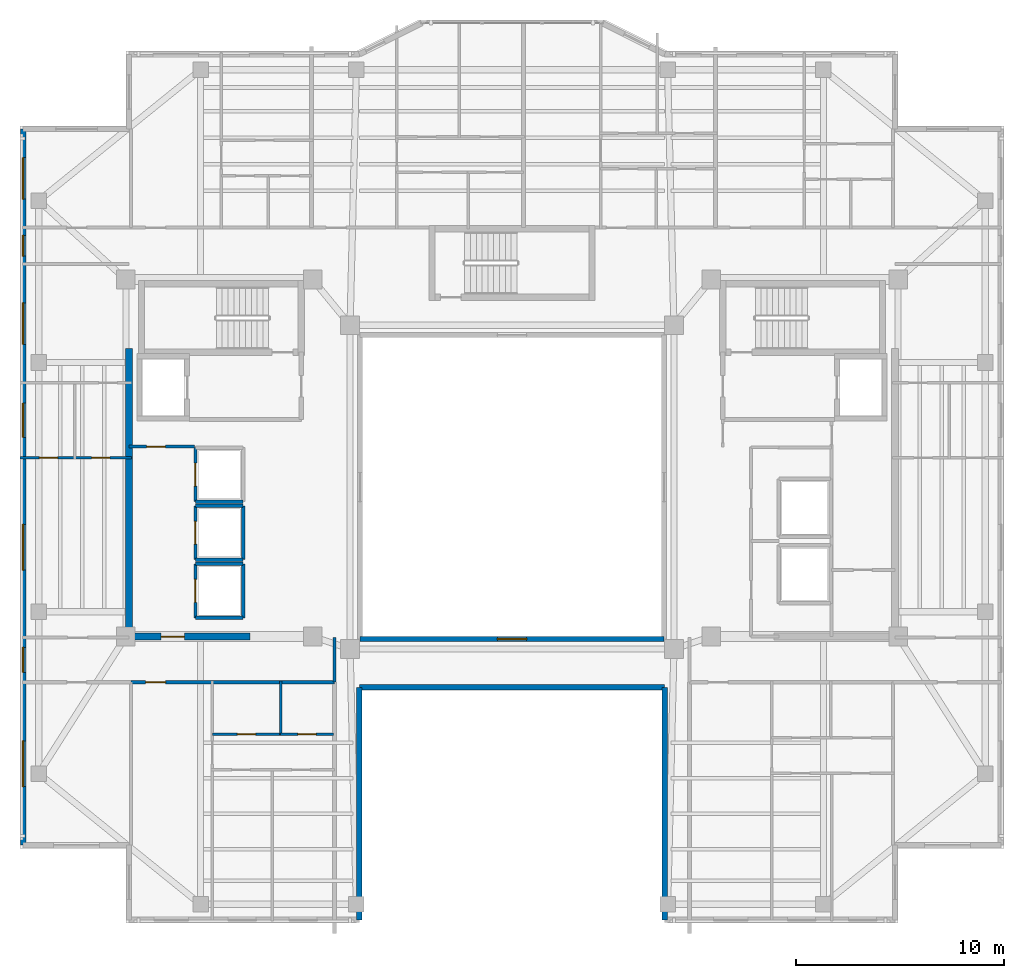
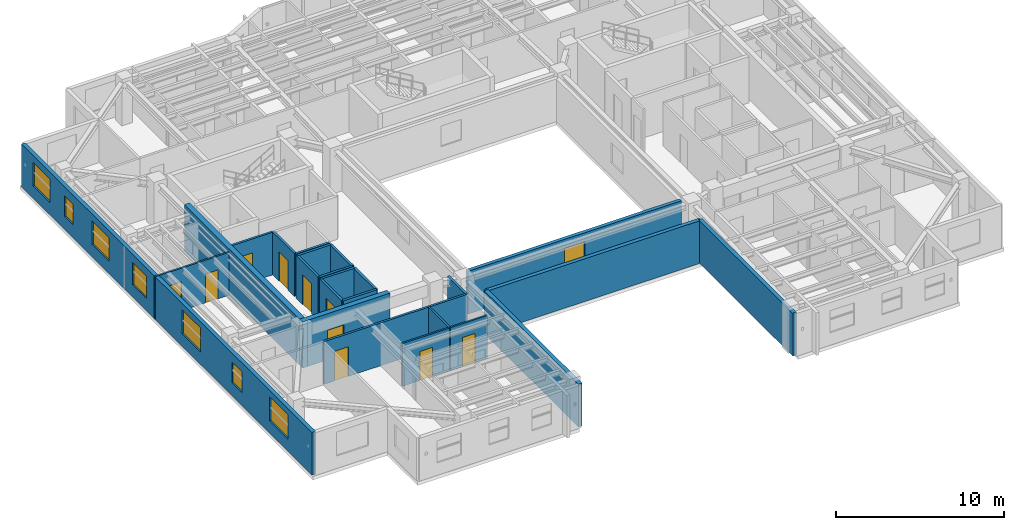
# One storey, part 4 of 12: 24 walls, 10 doors, 8 windows, 18 openings.
"""IFC4 building model written with IfcOpenShell, lengths in metres."""

from ifc_helpers import new_model, si_unit, direction, frame, frame_2d, origin, place, context, subcontext, project, spatial, rectangle, extrude, material, layer, layer_set, type_object, element, fill, save


model = new_model("IFC4")

# Units and contexts
model_context = context("Model", 3, precision=1e-05, world=origin(), true_north=direction((0.0, 1.0)))
body_context = subcontext(model_context, "Body", "Model", "MODEL_VIEW")
ifc_project = project(units=[si_unit("LENGTHUNIT", "METRE"), si_unit("AREAUNIT", "SQUARE_METRE"), si_unit("VOLUMEUNIT", "CUBIC_METRE"), si_unit("PLANEANGLEUNIT", "RADIAN"), si_unit("MASSUNIT", "GRAM", prefix="KILO")], contexts=[model_context])

# Site, building, storey
site_placement = place(None, origin())
site = spatial("IfcSite", under=ifc_project, at=site_placement, CompositionType="ELEMENT")
building_placement = place(site_placement, origin())
building = spatial("IfcBuilding", under=site, at=building_placement, Name="Tarnavaz Court Tower", CompositionType="ELEMENT")
storey_placement = place(building_placement, frame((0.0, 0.0, 203.64990234375)))
storey = spatial("IfcBuildingStorey", under=building, at=storey_placement, Name="L55", CompositionType="ELEMENT", Elevation=203.64990234375)

# Wall
ifc_material_1 = material(Name="Concrete C50/60", Category="concrete")
ifc_layer_1 = layer(ifc_material_1, 0.35009765625)
ifc_layer_set_1 = layer_set([ifc_layer_1], Name="Concrete C50/60")
wall_type_1 = type_object("IfcWallType", Name="WL-CORE-350-C50", PredefinedType="SHEAR", material=ifc_layer_set_1)
wall_1_placement = place(storey_placement, frame((-18.449951171875, -7.375, 0.0), z_axis=(0.0, 0.0, 1.0), x_axis=(0.0, 1.0, 0.0)))
element("IfcWall", 1, at=wall_1_placement, inside=storey, type_object=wall_type_1, Name="L55 West Core Shear Wall 045", PredefinedType="SHEAR", context=body_context, shape_type="SweptSolid", body=[
    extrude(rectangle(XDim=14.050048828125, YDim=0.35009765625, at=frame_2d((7.02490234375, 0.0))), origin(), (0.0, 0.0, 1.0), 3.35009765625),
])

# Wall, opening, door
wall_2_placement = place(storey_placement, frame((-18.625, -7.199951171875, 0.0), z_axis=(0.0, 0.0, 1.0), x_axis=(1.0, 0.0, 0.0)))
wall_2 = element("IfcWall", 2, at=wall_2_placement, inside=storey, type_object=wall_type_1, Name="L55 West Core South Shear Wall 046", PredefinedType="SHEAR", context=body_context, shape_type="SweptSolid", body=[
    extrude(rectangle(XDim=6.0, YDim=0.35009765625, at=frame_2d((3.0, 0.0))), origin(), (0.0, 0.0, 1.0), 3.35009765625),
])
opening_1_placement = place(wall_2_placement, frame((1.72509765625, 0.0, 0.0)))
opening_1 = element("IfcOpeningElement", 3, at=opening_1_placement, cuts=wall_2, Name="Opening D04", PredefinedType="OPENING", context=body_context, shape_type="SweptSolid", body=[
    extrude(rectangle(XDim=1.1201171875, YDim=2.14990234375, at=frame_2d((0.56005859375, 1.074951171875))), frame((0.0, 0.18505859375, 0.0), z_axis=(0.0, -1.0, 0.0), x_axis=(1.0, 0.0, 0.0)), (0.0, 0.0, 1.0), 0.3701171875),
])
ifc_material_2 = material(Name="Fire-Rated Hardwood Timber Core", Category="wood")
door_type_1 = type_object("IfcDoorType", Name="DR-FD60-1100", OperationType="NOTDEFINED", PredefinedType="DOOR", material=ifc_material_2)
door_1_placement = place(opening_1_placement, origin())
door_1 = element("IfcDoor", 4, at=door_1_placement, inside=storey, type_object=door_type_1, Name="L55 West High-Rise Lift Lobby Door", OperationType="SINGLE_SWING_LEFT", OverallHeight=2.14990234375, OverallWidth=1.1201171875, PredefinedType="DOOR", context=body_context, shape_type="SweptSolid", body=[
    extrude(rectangle(XDim=1.1201171875, YDim=2.14990234375, at=frame_2d((0.56005859375, 1.074951171875))), frame((0.0, 0.02490234375, 0.0), z_axis=(0.0, -1.0, 0.0), x_axis=(1.0, 0.0, 0.0)), (0.0, 0.0, 1.0), 0.050048828125),
])
fill(opening_1, door_1)

# Wall, openings, windows
ifc_material_3 = material(Name="Precast Concrete C40/50", Category="concrete")
ifc_layer_2 = layer(ifc_material_3, 0.260009765625)
ifc_layer_set_2 = layer_set([ifc_layer_2], Name="Precast Concrete C40/50")
wall_type_2 = type_object("IfcWallType", Name="WL-EXT-260", PredefinedType="SOLIDWALL", material=ifc_layer_set_2)
wall_3_placement = place(storey_placement, frame((-23.550048828125, -17.25, 0.0), z_axis=(0.0, 0.0, 1.0), x_axis=(0.0, 1.0, 0.0)))
wall_3 = element("IfcWall", 5, at=wall_3_placement, inside=storey, type_object=wall_type_2, Name="L55 Exterior Terracotta Facade Wall 02", PredefinedType="SOLIDWALL", context=body_context, shape_type="SweptSolid", body=[
    extrude(rectangle(XDim=34.5, YDim=0.260009765625, at=frame_2d((17.25, 0.0))), origin(), (0.0, 0.0, 1.0), 3.10009765625),
])
opening_2_placement = place(wall_3_placement, frame((2.824951171875, 0.0, 0.89990234375)))
opening_2 = element("IfcOpeningElement", 6, at=opening_2_placement, cuts=wall_3, Name="Opening W07", PredefinedType="OPENING", context=body_context, shape_type="SweptSolid", body=[
    extrude(rectangle(XDim=2.199951171875, YDim=1.75, at=frame_2d((1.10009765625, 0.875))), frame((0.0, 0.139892578125, 0.0), z_axis=(0.0, -1.0, 0.0), x_axis=(1.0, 0.0, 0.0)), (0.0, 0.0, 1.0), 0.280029296875),
])
opening_3_placement = place(wall_3_placement, frame((8.324951171875, 0.0, 0.949951171875)))
opening_3 = element("IfcOpeningElement", 7, at=opening_3_placement, cuts=wall_3, Name="Opening W05", PredefinedType="OPENING", context=body_context, shape_type="SweptSolid", body=[
    extrude(rectangle(XDim=1.199951171875, YDim=1.5, at=frame_2d((0.60009765625, 0.75))), frame((0.0, 0.139892578125, 0.0), z_axis=(0.0, -1.0, 0.0), x_axis=(1.0, 0.0, 0.0)), (0.0, 0.0, 1.0), 0.280029296875),
])
opening_4_placement = place(wall_3_placement, frame((13.25, 0.0, 0.89990234375)))
opening_4 = element("IfcOpeningElement", 8, at=opening_4_placement, cuts=wall_3, Name="Opening W07", PredefinedType="OPENING", context=body_context, shape_type="SweptSolid", body=[
    extrude(rectangle(XDim=2.199951171875, YDim=1.75, at=frame_2d((1.10009765625, 0.875))), frame((0.0, 0.139892578125, 0.0), z_axis=(0.0, -1.0, 0.0), x_axis=(1.0, 0.0, 0.0)), (0.0, 0.0, 1.0), 0.280029296875),
])
opening_5_placement = place(wall_3_placement, frame((19.64990234375, 0.0, 0.89990234375)))
opening_5 = element("IfcOpeningElement", 9, at=opening_5_placement, cuts=wall_3, Name="Opening W02", PredefinedType="OPENING", context=body_context, shape_type="SweptSolid", body=[
    extrude(rectangle(XDim=1.64990234375, YDim=1.60009765625, at=frame_2d((0.824951171875, 0.800048828125))), frame((0.0, 0.139892578125, 0.0), z_axis=(0.0, -1.0, 0.0), x_axis=(1.0, 0.0, 0.0)), (0.0, 0.0, 1.0), 0.280029296875),
])
opening_6_placement = place(wall_3_placement, frame((24.125, 0.0, 0.89990234375)))
opening_6 = element("IfcOpeningElement", 10, at=opening_6_placement, cuts=wall_3, Name="Opening W08", PredefinedType="OPENING", context=body_context, shape_type="SweptSolid", body=[
    extrude(rectangle(XDim=2.0, YDim=1.699951171875, at=frame_2d((1.0, 0.85009765625))), frame((0.0, 0.139892578125, 0.0), z_axis=(0.0, -1.0, 0.0), x_axis=(1.0, 0.0, 0.0)), (0.0, 0.0, 1.0), 0.280029296875),
])
opening_7_placement = place(wall_3_placement, frame((28.375, 0.0, 0.949951171875)))
opening_7 = element("IfcOpeningElement", 11, at=opening_7_placement, cuts=wall_3, Name="Opening W14", PredefinedType="OPENING", context=body_context, shape_type="SweptSolid", body=[
    extrude(rectangle(XDim=1.0, YDim=1.5, at=frame_2d((0.5, 0.75))), frame((0.0, 0.139892578125, 0.0), z_axis=(0.0, -1.0, 0.0), x_axis=(1.0, 0.0, 0.0)), (0.0, 0.0, 1.0), 0.280029296875),
])
opening_8_placement = place(wall_3_placement, frame((31.125, 0.0, 0.89990234375)))
opening_8 = element("IfcOpeningElement", 12, at=opening_8_placement, cuts=wall_3, Name="Opening W08", PredefinedType="OPENING", context=body_context, shape_type="SweptSolid", body=[
    extrude(rectangle(XDim=2.0, YDim=1.699951171875, at=frame_2d((1.0, 0.85009765625))), frame((0.0, 0.139892578125, 0.0), z_axis=(0.0, -1.0, 0.0), x_axis=(1.0, 0.0, 0.0)), (0.0, 0.0, 1.0), 0.280029296875),
])
ifc_material_4 = material(Name="Double-Glazed Solar Low-E Glass", Category="glass")
window_type_1 = type_object("IfcWindowType", Name="WN-APT-1000", PartitioningType="SINGLE_PANEL", PredefinedType="WINDOW", material=ifc_material_4)
window_1_placement = place(opening_7_placement, origin())
window_1 = element("IfcWindow", 13, at=window_1_placement, inside=storey, type_object=window_type_1, Name="L55 North-West Corner Corridor Window", OverallHeight=1.5, OverallWidth=1.0, PartitioningType="SINGLE_PANEL", PredefinedType="WINDOW", context=body_context, shape_type="SweptSolid", body=[
    extrude(rectangle(XDim=1.0, YDim=1.5, at=frame_2d((0.5, 0.75))), frame((0.0, 0.030029296875, 0.0), z_axis=(0.0, -1.0, 0.0), x_axis=(1.0, 0.0, 0.0)), (0.0, 0.0, 1.0), 0.06005859375),
])
fill(opening_7, window_1)
window_type_2 = type_object("IfcWindowType", Name="WN-APT-1200", PartitioningType="SINGLE_PANEL", PredefinedType="WINDOW", material=ifc_material_4)
window_2_placement = place(opening_3_placement, origin())
window_2 = element("IfcWindow", 14, at=window_2_placement, inside=storey, type_object=window_type_2, Name="L55 South-West Corner Corridor Window", OverallHeight=1.5, OverallWidth=1.199951171875, PartitioningType="SINGLE_PANEL", PredefinedType="WINDOW", context=body_context, shape_type="SweptSolid", body=[
    extrude(rectangle(XDim=1.199951171875, YDim=1.5, at=frame_2d((0.60009765625, 0.75))), frame((0.0, 0.030029296875, 0.0), z_axis=(0.0, -1.0, 0.0), x_axis=(1.0, 0.0, 0.0)), (0.0, 0.0, 1.0), 0.06005859375),
])
fill(opening_3, window_2)
window_type_3 = type_object("IfcWindowType", Name="WN-APT-1650", PartitioningType="DOUBLE_PANEL_VERTICAL", PredefinedType="WINDOW", material=ifc_material_4)
window_3_placement = place(opening_5_placement, origin())
window_3 = element("IfcWindow", 15, at=window_3_placement, inside=storey, type_object=window_type_3, Name="L55 Flat 07 Kitchen Window", OverallHeight=1.60009765625, OverallWidth=1.64990234375, PartitioningType="SINGLE_PANEL", PredefinedType="WINDOW", context=body_context, shape_type="SweptSolid", body=[
    extrude(rectangle(XDim=1.64990234375, YDim=1.60009765625, at=frame_2d((0.824951171875, 0.800048828125))), frame((0.0, 0.030029296875, 0.0), z_axis=(0.0, -1.0, 0.0), x_axis=(1.0, 0.0, 0.0)), (0.0, 0.0, 1.0), 0.06005859375),
])
fill(opening_5, window_3)
window_type_4 = type_object("IfcWindowType", Name="WN-APT-2000", PartitioningType="DOUBLE_PANEL_VERTICAL", PredefinedType="WINDOW", material=ifc_material_4)
window_4_placement = place(opening_6_placement, origin())
window_4 = element("IfcWindow", 16, at=window_4_placement, inside=storey, type_object=window_type_4, Name="L55 Flat 07 Study Room Window", OverallHeight=1.699951171875, OverallWidth=2.0, PartitioningType="SINGLE_PANEL", PredefinedType="WINDOW", context=body_context, shape_type="SweptSolid", body=[
    extrude(rectangle(XDim=2.0, YDim=1.699951171875, at=frame_2d((1.0, 0.85009765625))), frame((0.0, 0.030029296875, 0.0), z_axis=(0.0, -1.0, 0.0), x_axis=(1.0, 0.0, 0.0)), (0.0, 0.0, 1.0), 0.06005859375),
])
fill(opening_6, window_4)
window_5_placement = place(opening_8_placement, origin())
window_5 = element("IfcWindow", 17, at=window_5_placement, inside=storey, type_object=window_type_4, Name="L55 North-West Corner Sunroom Study Window", OverallHeight=1.699951171875, OverallWidth=2.0, PartitioningType="SINGLE_PANEL", PredefinedType="WINDOW", context=body_context, shape_type="SweptSolid", body=[
    extrude(rectangle(XDim=2.0, YDim=1.699951171875, at=frame_2d((1.0, 0.85009765625))), frame((0.0, 0.030029296875, 0.0), z_axis=(0.0, -1.0, 0.0), x_axis=(1.0, 0.0, 0.0)), (0.0, 0.0, 1.0), 0.06005859375),
])
fill(opening_8, window_5)
window_type_5 = type_object("IfcWindowType", Name="WN-APT-2200", PartitioningType="TRIPLE_PANEL_VERTICAL", PredefinedType="WINDOW", material=ifc_material_4)
window_6_placement = place(opening_2_placement, origin())
window_6 = element("IfcWindow", 18, at=window_6_placement, inside=storey, type_object=window_type_5, Name="L55 South-West Corner Reading Room Window", OverallHeight=1.75, OverallWidth=2.199951171875, PartitioningType="SINGLE_PANEL", PredefinedType="WINDOW", context=body_context, shape_type="SweptSolid", body=[
    extrude(rectangle(XDim=2.199951171875, YDim=1.75, at=frame_2d((1.10009765625, 0.875))), frame((0.0, 0.030029296875, 0.0), z_axis=(0.0, -1.0, 0.0), x_axis=(1.0, 0.0, 0.0)), (0.0, 0.0, 1.0), 0.06005859375),
])
fill(opening_2, window_6)
window_7_placement = place(opening_4_placement, origin())
window_7 = element("IfcWindow", 19, at=window_7_placement, inside=storey, type_object=window_type_5, Name="L55 Flat 07 Studio Living and Sleeping Room Window", OverallHeight=1.75, OverallWidth=2.199951171875, PartitioningType="SINGLE_PANEL", PredefinedType="WINDOW", context=body_context, shape_type="SweptSolid", body=[
    extrude(rectangle(XDim=2.199951171875, YDim=1.75, at=frame_2d((1.10009765625, 0.875))), frame((0.0, 0.030029296875, 0.0), z_axis=(0.0, -1.0, 0.0), x_axis=(1.0, 0.0, 0.0)), (0.0, 0.0, 1.0), 0.06005859375),
])
fill(opening_4, window_7)

# Walls
wall_4_placement = place(storey_placement, frame((7.35009765625, -20.85009765625, 0.0), z_axis=(0.0, 0.0, 1.0), x_axis=(0.0, 1.0, 0.0)))
element("IfcWall", 20, at=wall_4_placement, inside=storey, type_object=wall_type_2, Name="L55 Exterior Terracotta Facade Wall 16", PredefinedType="SOLIDWALL", context=body_context, shape_type="SweptSolid", body=[
    extrude(rectangle(XDim=11.2001953125, YDim=0.260009765625, at=frame_2d((5.60009765625, 0.0))), origin(), (0.0, 0.0, 1.0), 3.10009765625),
])
wall_5_placement = place(storey_placement, frame((7.35009765625, -9.64990234375, 0.0), z_axis=(0.0, 0.0, 1.0), x_axis=(-1.0, 0.0, 0.0)))
element("IfcWall", 21, at=wall_5_placement, inside=storey, type_object=wall_type_2, Name="L55 Exterior Terracotta Facade Wall 17", PredefinedType="SOLIDWALL", context=body_context, shape_type="SweptSolid", body=[
    extrude(rectangle(XDim=14.7001953125, YDim=0.260009765625, at=frame_2d((7.35009765625, 0.0))), origin(), (0.0, 0.0, 1.0), 3.10009765625),
])
wall_6_placement = place(storey_placement, frame((-7.35009765625, -9.64990234375, 0.0), z_axis=(0.0, 0.0, 1.0), x_axis=(0.0, -1.0, 0.0)))
element("IfcWall", 22, at=wall_6_placement, inside=storey, type_object=wall_type_2, Name="L55 Exterior Terracotta Facade Wall 18", PredefinedType="SOLIDWALL", context=body_context, shape_type="SweptSolid", body=[
    extrude(rectangle(XDim=11.2001953125, YDim=0.260009765625, at=frame_2d((5.60009765625, 0.0))), origin(), (0.0, 0.0, 1.0), 3.10009765625),
])

# Wall, opening, door
ifc_material_5 = material(Name="Gypsum Fire-Board on Acoustic Metal Stud", Category="masonry")
ifc_layer_3 = layer(ifc_material_5, 0.14990234375)
ifc_layer_set_3 = layer_set([ifc_layer_3], Name="Gypsum Fire-Board on Acoustic Metal Stud")
wall_type_3 = type_object("IfcWallType", Name="WL-FIRE-150", PredefinedType="PARTITIONING", material=ifc_layer_set_3)
wall_7_placement = place(storey_placement, frame((-18.35009765625, -9.39990234375, 0.0), z_axis=(0.0, 0.0, 1.0), x_axis=(1.0, 0.0, 0.0)))
wall_7 = element("IfcWall", 23, at=wall_7_placement, inside=storey, type_object=wall_type_3, Name="L55 SW Lobby Wall 060", PredefinedType="PARTITIONING", context=body_context, shape_type="SweptSolid", body=[
    extrude(rectangle(XDim=9.800048828125, YDim=0.14990234375, at=frame_2d((4.89990234375, 0.0))), origin(), (0.0, 0.0, 1.0), 3.10009765625),
])
opening_9_placement = place(wall_7_placement, frame((0.699951171875, 0.0, 0.0)))
opening_9 = element("IfcOpeningElement", 24, at=opening_9_placement, cuts=wall_7, Name="Opening D06", PredefinedType="OPENING", context=body_context, shape_type="SweptSolid", body=[
    extrude(rectangle(XDim=0.9599609375, YDim=2.14990234375, at=frame_2d((0.47998046875, 1.074951171875))), frame((0.0, 0.0849609375, 0.0), z_axis=(0.0, -1.0, 0.0), x_axis=(1.0, 0.0, 0.0)), (0.0, 0.0, 1.0), 0.169921875),
])
door_type_2 = type_object("IfcDoorType", Name="DR-FD60-950", OperationType="NOTDEFINED", PredefinedType="DOOR", material=ifc_material_2)
door_2_placement = place(opening_9_placement, origin())
door_2 = element("IfcDoor", 25, at=door_2_placement, inside=storey, type_object=door_type_2, Name="L55 Flat 05 Entrance Door", OperationType="SINGLE_SWING_RIGHT", OverallHeight=2.14990234375, OverallWidth=0.9599609375, PredefinedType="DOOR", context=body_context, shape_type="SweptSolid", body=[
    extrude(rectangle(XDim=0.9599609375, YDim=2.14990234375, at=frame_2d((0.47998046875, 1.074951171875))), frame((0.0, 0.02490234375, 0.0), z_axis=(0.0, -1.0, 0.0), x_axis=(1.0, 0.0, 0.0)), (0.0, 0.0, 1.0), 0.050048828125),
])
fill(opening_9, door_2)

# Wall
wall_8_placement = place(storey_placement, frame((-8.550048828125, -9.39990234375, 0.0), z_axis=(0.0, 0.0, 1.0), x_axis=(0.0, 1.0, 0.0)))
element("IfcWall", 26, at=wall_8_placement, inside=storey, type_object=wall_type_3, Name="L55 West Spine End Wall 062", PredefinedType="PARTITIONING", context=body_context, shape_type="SweptSolid", body=[
    extrude(rectangle(XDim=2.14990234375, YDim=0.14990234375, at=frame_2d((1.074951171875, 0.0))), origin(), (0.0, 0.0, 1.0), 3.10009765625),
])

# Wall, opening, door
ifc_material_6 = material(Name="Moisture-Resistant Gypsum Board Partition", Category="masonry")
ifc_layer_4 = layer(ifc_material_6, 0.1201171875)
ifc_layer_set_4 = layer_set([ifc_layer_4], Name="Moisture-Resistant Gypsum Board Partition")
wall_type_4 = type_object("IfcWallType", Name="WL-PART-120", PredefinedType="PARTITIONING", material=ifc_layer_set_4)
wall_9_placement = place(storey_placement, frame((-14.43798828125, -11.909912109375, 0.0), z_axis=(0.0, 0.0, 1.0), x_axis=(1.0, 0.0, 0.0)))
wall_9 = element("IfcWall", 27, at=wall_9_placement, inside=storey, type_object=wall_type_4, Name="L55 Interior Partition 090", PredefinedType="PARTITIONING", context=body_context, shape_type="SweptSolid", body=[
    extrude(rectangle(XDim=3.29296875, YDim=0.1201171875, at=frame_2d((1.646484375, 0.0))), origin(), (0.0, 0.0, 1.0), 3.10009765625),
])
opening_10_placement = place(wall_9_placement, frame((1.20703125, 0.0, 0.0)))
opening_10 = element("IfcOpeningElement", 28, at=opening_10_placement, cuts=wall_9, Name="Opening D14", PredefinedType="OPENING", context=body_context, shape_type="SweptSolid", body=[
    extrude(rectangle(XDim=0.8798828125, YDim=2.10009765625, at=frame_2d((0.43994140625, 1.050048828125))), frame((0.0, 0.070068359375, 0.0), z_axis=(0.0, -1.0, 0.0), x_axis=(1.0, 0.0, 0.0)), (0.0, 0.0, 1.0), 0.14013671875),
])
ifc_material_7 = material(Name="Engineered Oak Timber", Category="wood")
door_type_3 = type_object("IfcDoorType", Name="DR-INT-900", OperationType="NOTDEFINED", PredefinedType="DOOR", material=ifc_material_7)
door_3_placement = place(opening_10_placement, origin())
door_3 = element("IfcDoor", 29, at=door_3_placement, inside=storey, type_object=door_type_3, Name="L55 Flat 05 Kitchen Door", OperationType="SINGLE_SWING_RIGHT", OverallHeight=2.10009765625, OverallWidth=0.8798828125, PredefinedType="DOOR", context=body_context, shape_type="SweptSolid", body=[
    extrude(rectangle(XDim=0.8798828125, YDim=2.10009765625, at=frame_2d((0.43994140625, 1.050048828125))), frame((0.0, 0.02490234375, 0.0), z_axis=(0.0, -1.0, 0.0), x_axis=(1.0, 0.0, 0.0)), (0.0, 0.0, 1.0), 0.050048828125),
])
fill(opening_10, door_3)

wall_10_placement = place(storey_placement, frame((-11.14501953125, -11.909912109375, 0.0), z_axis=(0.0, 0.0, 1.0), x_axis=(1.0, 0.0, 0.0)))
wall_10 = element("IfcWall", 30, at=wall_10_placement, inside=storey, type_object=wall_type_4, Name="L55 Interior Partition 091", PredefinedType="PARTITIONING", context=body_context, shape_type="SweptSolid", body=[
    extrude(rectangle(XDim=2.544921875, YDim=0.1201171875, at=frame_2d((1.2724609375, 0.0))), origin(), (0.0, 0.0, 1.0), 3.10009765625),
])
opening_11_placement = place(wall_10_placement, frame((0.8330078125, 0.0, 0.0)))
opening_11 = element("IfcOpeningElement", 31, at=opening_11_placement, cuts=wall_10, Name="Opening D14", PredefinedType="OPENING", context=body_context, shape_type="SweptSolid", body=[
    extrude(rectangle(XDim=0.8798828125, YDim=2.10009765625, at=frame_2d((0.43994140625, 1.050048828125))), frame((0.0, 0.070068359375, 0.0), z_axis=(0.0, -1.0, 0.0), x_axis=(1.0, 0.0, 0.0)), (0.0, 0.0, 1.0), 0.14013671875),
])
door_4_placement = place(opening_11_placement, origin())
door_4 = element("IfcDoor", 32, at=door_4_placement, inside=storey, type_object=door_type_3, Name="L55 Flat 05 Bathroom Door", OperationType="SINGLE_SWING_LEFT", OverallHeight=2.10009765625, OverallWidth=0.8798828125, PredefinedType="DOOR", context=body_context, shape_type="SweptSolid", body=[
    extrude(rectangle(XDim=0.8798828125, YDim=2.10009765625, at=frame_2d((0.43994140625, 1.050048828125))), frame((0.0, 0.02490234375, 0.0), z_axis=(0.0, -1.0, 0.0), x_axis=(1.0, 0.0, 0.0)), (0.0, 0.0, 1.0), 0.050048828125),
])
fill(opening_11, door_4)

# Wall
wall_11_placement = place(storey_placement, frame((-11.14501953125, -11.969970703125, 0.0), z_axis=(0.0, 0.0, 1.0), x_axis=(0.0, 1.0, 0.0)))
element("IfcWall", 33, at=wall_11_placement, inside=storey, type_object=wall_type_4, Name="L55 Interior Partition 093", PredefinedType="PARTITIONING", context=body_context, shape_type="SweptSolid", body=[
    extrude(rectangle(XDim=2.6298828125, YDim=0.1201171875, at=frame_2d((1.31494140625, 0.0))), origin(), (0.0, 0.0, 1.0), 3.10009765625),
])

# Wall, openings, doors
wall_12_placement = place(storey_placement, frame((-23.699951171875, 1.419921875, 0.0), z_axis=(0.0, 0.0, 1.0), x_axis=(1.0, 0.0, 0.0)))
wall_12 = element("IfcWall", 34, at=wall_12_placement, inside=storey, type_object=wall_type_4, Name="L55 Interior Partition 115", PredefinedType="PARTITIONING", context=body_context, shape_type="SweptSolid", body=[
    extrude(rectangle(XDim=5.369873046875, YDim=0.1201171875, at=frame_2d((2.68505859375, 0.0))), origin(), (0.0, 0.0, 1.0), 3.10009765625),
])
opening_12_placement = place(wall_12_placement, frame((0.93701171875, 0.0, 0.0)))
opening_12 = element("IfcOpeningElement", 35, at=opening_12_placement, cuts=wall_12, Name="Opening D14", PredefinedType="OPENING", context=body_context, shape_type="SweptSolid", body=[
    extrude(rectangle(XDim=0.8798828125, YDim=2.10009765625, at=frame_2d((0.43994140625, 1.050048828125))), frame((0.0, 0.070068359375, 0.0), z_axis=(0.0, -1.0, 0.0), x_axis=(1.0, 0.0, 0.0)), (0.0, 0.0, 1.0), 0.14013671875),
])
opening_13_placement = place(wall_12_placement, frame((3.451904296875, 0.0, 0.0)))
opening_13 = element("IfcOpeningElement", 36, at=opening_13_placement, cuts=wall_12, Name="Opening D14", PredefinedType="OPENING", context=body_context, shape_type="SweptSolid", body=[
    extrude(rectangle(XDim=0.8798828125, YDim=2.10009765625, at=frame_2d((0.43994140625, 1.050048828125))), frame((0.0, 0.070068359375, 0.0), z_axis=(0.0, -1.0, 0.0), x_axis=(1.0, 0.0, 0.0)), (0.0, 0.0, 1.0), 0.14013671875),
])
door_5_placement = place(opening_12_placement, origin())
door_5 = element("IfcDoor", 37, at=door_5_placement, inside=storey, type_object=door_type_3, Name="L55 Flat 07 Kitchen Door", OperationType="SINGLE_SWING_LEFT", OverallHeight=2.10009765625, OverallWidth=0.8798828125, PredefinedType="DOOR", context=body_context, shape_type="SweptSolid", body=[
    extrude(rectangle(XDim=0.8798828125, YDim=2.10009765625, at=frame_2d((0.43994140625, 1.050048828125))), frame((0.0, 0.02490234375, 0.0), z_axis=(0.0, -1.0, 0.0), x_axis=(1.0, 0.0, 0.0)), (0.0, 0.0, 1.0), 0.050048828125),
])
fill(opening_12, door_5)
door_6_placement = place(opening_13_placement, origin())
door_6 = element("IfcDoor", 38, at=door_6_placement, inside=storey, type_object=door_type_3, Name="L55 Flat 07 Bathroom Door", OperationType="SINGLE_SWING_RIGHT", OverallHeight=2.10009765625, OverallWidth=0.8798828125, PredefinedType="DOOR", context=body_context, shape_type="SweptSolid", body=[
    extrude(rectangle(XDim=0.8798828125, YDim=2.10009765625, at=frame_2d((0.43994140625, 1.050048828125))), frame((0.0, 0.02490234375, 0.0), z_axis=(0.0, -1.0, 0.0), x_axis=(1.0, 0.0, 0.0)), (0.0, 0.0, 1.0), 0.050048828125),
])
fill(opening_13, door_6)

# Wall, opening, door
ifc_material_8 = material(Name="Gypsum Plasterboard Acoustic Partition", Category="masonry")
ifc_layer_5 = layer(ifc_material_8, 0.139892578125)
ifc_layer_set_5 = layer_set([ifc_layer_5], Name="Gypsum Plasterboard Acoustic Partition")
wall_type_5 = type_object("IfcWallType", Name="WL-PART-150", PredefinedType="PARTITIONING", material=ifc_layer_set_5)
wall_13_placement = place(storey_placement, frame((-18.449951171875, 1.949951171875, 0.0), z_axis=(0.0, 0.0, 1.0), x_axis=(1.0, 0.0, 0.0)))
wall_13 = element("IfcWall", 39, at=wall_13_placement, inside=storey, type_object=wall_type_5, Name="L55 Interior Partition 049", PredefinedType="PARTITIONING", context=body_context, shape_type="SweptSolid", body=[
    extrude(rectangle(XDim=3.14990234375, YDim=0.139892578125, at=frame_2d((1.574951171875, 0.0))), origin(), (0.0, 0.0, 1.0), 3.10009765625),
])
opening_14_placement = place(wall_13_placement, frame((0.85009765625, 0.0, 0.0)))
opening_14 = element("IfcOpeningElement", 40, at=opening_14_placement, cuts=wall_13, Name="Opening D09", PredefinedType="OPENING", context=body_context, shape_type="SweptSolid", body=[
    extrude(rectangle(XDim=0.89990234375, YDim=2.080078125, at=frame_2d((0.449951171875, 1.0400390625))), frame((0.0, 0.079833984375, 0.0), z_axis=(0.0, -1.0, 0.0), x_axis=(1.0, 0.0, 0.0)), (0.0, 0.0, 1.0), 0.159912109375),
])
door_type_4 = type_object("IfcDoorType", Name="DR-FD30-900", OperationType="NOTDEFINED", PredefinedType="DOOR", material=ifc_material_2)
door_7_placement = place(opening_14_placement, origin())
door_7 = element("IfcDoor", 41, at=door_7_placement, inside=storey, type_object=door_type_4, Name="L55 West Core Electrical Room Door", OperationType="SINGLE_SWING_RIGHT", OverallHeight=2.080078125, OverallWidth=0.89990234375, PredefinedType="DOOR", context=body_context, shape_type="SweptSolid", body=[
    extrude(rectangle(XDim=0.89990234375, YDim=2.080078125, at=frame_2d((0.449951171875, 1.0400390625))), frame((0.0, 0.02490234375, 0.0), z_axis=(0.0, -1.0, 0.0), x_axis=(1.0, 0.0, 0.0)), (0.0, 0.0, 1.0), 0.050048828125),
])
fill(opening_14, door_7)

ifc_material_9 = material(Name="Autoclaved Aerated Concrete Blockwork", Category="masonry")
ifc_layer_6 = layer(ifc_material_9, 0.159912109375)
ifc_layer_set_6 = layer_set([ifc_layer_6], Name="Autoclaved Aerated Concrete Blockwork")
wall_type_6 = type_object("IfcWallType", Name="WL-SHAFT-150", PredefinedType="SOLIDWALL", material=ifc_layer_set_6)
wall_14_placement = place(storey_placement, frame((-15.25, -6.300048828125, 0.0), z_axis=(0.0, 0.0, 1.0), x_axis=(0.0, 1.0, 0.0)))
wall_14 = element("IfcWall", 42, at=wall_14_placement, inside=storey, type_object=wall_type_6, Name="L55 Lift PL-H1 Shaft Wall 021", PredefinedType="SOLIDWALL", context=body_context, shape_type="SweptSolid", body=[
    extrude(rectangle(XDim=2.60009765625, YDim=0.159912109375, at=frame_2d((1.300048828125, 0.0))), origin(), (0.0, 0.0, 1.0), 3.10009765625),
])
opening_15_placement = place(wall_14_placement, frame((0.75, 0.0, 0.0)))
opening_15 = element("IfcOpeningElement", 43, at=opening_15_placement, cuts=wall_14, Name="Opening LD1", PredefinedType="OPENING", context=body_context, shape_type="SweptSolid", body=[
    extrude(rectangle(XDim=1.10009765625, YDim=2.14990234375, at=frame_2d((0.550048828125, 1.074951171875))), frame((0.0, 0.08984375, 0.0), z_axis=(0.0, -1.0, 0.0), x_axis=(1.0, 0.0, 0.0)), (0.0, 0.0, 1.0), 0.179931640625),
])
ifc_material_10 = material(Name="Stainless Steel", Category="steel")
door_type_5 = type_object("IfcDoorType", Name="DR-LD-1100", OperationType="NOTDEFINED", PredefinedType="DOOR", material=ifc_material_10)
door_8_placement = place(opening_15_placement, origin())
door_8 = element("IfcDoor", 44, at=door_8_placement, inside=storey, type_object=door_type_5, Name="L55 Lift Landing Door LD-PL-H1", OperationType="SLIDING_TO_LEFT", OverallHeight=2.14990234375, OverallWidth=1.10009765625, PredefinedType="DOOR", context=body_context, shape_type="SweptSolid", body=[
    extrude(rectangle(XDim=1.10009765625, YDim=2.14990234375, at=frame_2d((0.550048828125, 1.074951171875))), frame((0.0, 0.02490234375, 0.0), z_axis=(0.0, -1.0, 0.0), x_axis=(1.0, 0.0, 0.0)), (0.0, 0.0, 1.0), 0.050048828125),
])
fill(opening_15, door_8)

# Walls
wall_15_placement = place(storey_placement, frame((-12.949951171875, -6.300048828125, 0.0), z_axis=(0.0, 0.0, 1.0), x_axis=(0.0, 1.0, 0.0)))
element("IfcWall", 45, at=wall_15_placement, inside=storey, type_object=wall_type_6, Name="L55 Lift PL-H1 Shaft Wall 022", PredefinedType="SOLIDWALL", context=body_context, shape_type="SweptSolid", body=[
    extrude(rectangle(XDim=2.60009765625, YDim=0.159912109375, at=frame_2d((1.300048828125, 0.0))), origin(), (0.0, 0.0, 1.0), 3.10009765625),
])
for number, where, z_axis, x_axis, name in (
    (46, (-15.25, -6.300048828125, 0.0), (0.0, 0.0, 1.0), (1.0, 0.0, 0.0), "L55 Lift PL-H1 Shaft Wall 023"),
    (47, (-15.25, -3.699951171875, 0.0), (0.0, 0.0, 1.0), (1.0, 0.0, 0.0), "L55 Lift PL-H1 Shaft Wall 024"),
):
    element("IfcWall", number, at=place(storey_placement, frame(where, z_axis=z_axis, x_axis=x_axis)), inside=storey, type_object=wall_type_6, Name=name, PredefinedType="SOLIDWALL", context=body_context, shape_type="SweptSolid", body=[
        extrude(rectangle(XDim=2.300048828125, YDim=0.159912109375, at=frame_2d((1.14990234375, 0.0))), origin(), (0.0, 0.0, 1.0), 3.10009765625),
    ])

# Wall, opening, door
wall_16_placement = place(storey_placement, frame((-15.25, -3.5, 0.0), z_axis=(0.0, 0.0, 1.0), x_axis=(0.0, 1.0, 0.0)))
wall_16 = element("IfcWall", 48, at=wall_16_placement, inside=storey, type_object=wall_type_6, Name="L55 Lift PL-H2 Shaft Wall 025", PredefinedType="SOLIDWALL", context=body_context, shape_type="SweptSolid", body=[
    extrude(rectangle(XDim=2.60009765625, YDim=0.159912109375, at=frame_2d((1.300048828125, 0.0))), origin(), (0.0, 0.0, 1.0), 3.10009765625),
])
opening_16_placement = place(wall_16_placement, frame((0.75, 0.0, 0.0)))
opening_16 = element("IfcOpeningElement", 49, at=opening_16_placement, cuts=wall_16, Name="Opening LD1", PredefinedType="OPENING", context=body_context, shape_type="SweptSolid", body=[
    extrude(rectangle(XDim=1.10009765625, YDim=2.14990234375, at=frame_2d((0.550048828125, 1.074951171875))), frame((0.0, 0.08984375, 0.0), z_axis=(0.0, -1.0, 0.0), x_axis=(1.0, 0.0, 0.0)), (0.0, 0.0, 1.0), 0.179931640625),
])
door_9_placement = place(opening_16_placement, origin())
door_9 = element("IfcDoor", 50, at=door_9_placement, inside=storey, type_object=door_type_5, Name="L55 Lift Landing Door LD-PL-H2", OperationType="SLIDING_TO_LEFT", OverallHeight=2.14990234375, OverallWidth=1.10009765625, PredefinedType="DOOR", context=body_context, shape_type="SweptSolid", body=[
    extrude(rectangle(XDim=1.10009765625, YDim=2.14990234375, at=frame_2d((0.550048828125, 1.074951171875))), frame((0.0, 0.02490234375, 0.0), z_axis=(0.0, -1.0, 0.0), x_axis=(1.0, 0.0, 0.0)), (0.0, 0.0, 1.0), 0.050048828125),
])
fill(opening_16, door_9)

# Walls
wall_17_placement = place(storey_placement, frame((-12.949951171875, -3.5, 0.0), z_axis=(0.0, 0.0, 1.0), x_axis=(0.0, 1.0, 0.0)))
element("IfcWall", 51, at=wall_17_placement, inside=storey, type_object=wall_type_6, Name="L55 Lift PL-H2 Shaft Wall 026", PredefinedType="SOLIDWALL", context=body_context, shape_type="SweptSolid", body=[
    extrude(rectangle(XDim=2.60009765625, YDim=0.159912109375, at=frame_2d((1.300048828125, 0.0))), origin(), (0.0, 0.0, 1.0), 3.10009765625),
])
for number, where, z_axis, x_axis, name in (
    (52, (-15.25, -3.5, 0.0), (0.0, 0.0, 1.0), (1.0, 0.0, 0.0), "L55 Lift PL-H2 Shaft Wall 027"),
    (53, (-15.25, -0.89990234375, 0.0), (0.0, 0.0, 1.0), (1.0, 0.0, 0.0), "L55 Lift PL-H2 Shaft Wall 028"),
):
    element("IfcWall", number, at=place(storey_placement, frame(where, z_axis=z_axis, x_axis=x_axis)), inside=storey, type_object=wall_type_6, Name=name, PredefinedType="SOLIDWALL", context=body_context, shape_type="SweptSolid", body=[
        extrude(rectangle(XDim=2.300048828125, YDim=0.159912109375, at=frame_2d((1.14990234375, 0.0))), origin(), (0.0, 0.0, 1.0), 3.10009765625),
    ])

# Wall, opening, door
wall_18_placement = place(storey_placement, frame((-15.25, -0.699951171875, 0.0), z_axis=(0.0, 0.0, 1.0), x_axis=(0.0, 1.0, 0.0)))
wall_18 = element("IfcWall", 54, at=wall_18_placement, inside=storey, type_object=wall_type_6, Name="L55 Lift PL-H3 Shaft Wall 029", PredefinedType="SOLIDWALL", context=body_context, shape_type="SweptSolid", body=[
    extrude(rectangle(XDim=2.599853515625, YDim=0.159912109375, at=frame_2d((1.2998046875, 0.0))), origin(), (0.0, 0.0, 1.0), 3.10009765625),
])
opening_17_placement = place(wall_18_placement, frame((0.75, 0.0, 0.0)))
opening_17 = element("IfcOpeningElement", 55, at=opening_17_placement, cuts=wall_18, Name="Opening LD1", PredefinedType="OPENING", context=body_context, shape_type="SweptSolid", body=[
    extrude(rectangle(XDim=1.10009765625, YDim=2.14990234375, at=frame_2d((0.550048828125, 1.074951171875))), frame((0.0, 0.08984375, 0.0), z_axis=(0.0, -1.0, 0.0), x_axis=(1.0, 0.0, 0.0)), (0.0, 0.0, 1.0), 0.179931640625),
])
door_10_placement = place(opening_17_placement, origin())
door_10 = element("IfcDoor", 56, at=door_10_placement, inside=storey, type_object=door_type_5, Name="L55 Lift Landing Door LD-PL-H3", OperationType="SLIDING_TO_LEFT", OverallHeight=2.14990234375, OverallWidth=1.10009765625, PredefinedType="DOOR", context=body_context, shape_type="SweptSolid", body=[
    extrude(rectangle(XDim=1.10009765625, YDim=2.14990234375, at=frame_2d((0.550048828125, 1.074951171875))), frame((0.0, 0.02490234375, 0.0), z_axis=(0.0, -1.0, 0.0), x_axis=(1.0, 0.0, 0.0)), (0.0, 0.0, 1.0), 0.050048828125),
])
fill(opening_17, door_10)

# Wall
wall_19_placement = place(storey_placement, frame((-15.25, -0.699951171875, 0.0), z_axis=(0.0, 0.0, 1.0), x_axis=(1.0, 0.0, 0.0)))
element("IfcWall", 57, at=wall_19_placement, inside=storey, type_object=wall_type_6, Name="L55 Lift PL-H3 Shaft Wall 031", PredefinedType="SOLIDWALL", context=body_context, shape_type="SweptSolid", body=[
    extrude(rectangle(XDim=2.300048828125, YDim=0.159912109375, at=frame_2d((1.14990234375, 0.0))), origin(), (0.0, 0.0, 1.0), 3.10009765625),
])

# Wall, opening, window
ifc_layer_7 = layer(ifc_material_3, 0.239990234375)
ifc_layer_set_7 = layer_set([ifc_layer_7], Name="Precast Concrete C40/50")
wall_type_7 = type_object("IfcWallType", Name="WL-WELL-240", PredefinedType="SOLIDWALL", material=ifc_layer_set_7)
wall_20_placement = place(storey_placement, frame((-7.320068359375, -7.320068359375, 0.0), z_axis=(0.0, 0.0, 1.0), x_axis=(1.0, 0.0, 0.0)))
wall_20 = element("IfcWall", 58, at=wall_20_placement, inside=storey, type_object=wall_type_7, Name="L55 Badgir Light-Well Exterior Wall S", PredefinedType="SOLIDWALL", context=body_context, shape_type="SweptSolid", body=[
    extrude(rectangle(XDim=14.64013671875, YDim=0.239990234375, at=frame_2d((7.320068359375, 0.0))), origin(), (0.0, 0.0, 1.0), 3.10009765625),
])
opening_18_placement = place(wall_20_placement, frame((6.6201171875, 0.0, 0.949951171875)))
opening_18 = element("IfcOpeningElement", 59, at=opening_18_placement, cuts=wall_20, Name="Opening W13", PredefinedType="OPENING", context=body_context, shape_type="SweptSolid", body=[
    extrude(rectangle(XDim=1.39990234375, YDim=1.5, at=frame_2d((0.699951171875, 0.75))), frame((0.0, 0.1298828125, 0.0), z_axis=(0.0, -1.0, 0.0), x_axis=(1.0, 0.0, 0.0)), (0.0, 0.0, 1.0), 0.260009765625),
])
window_type_6 = type_object("IfcWindowType", Name="WN-WEL-1400", PartitioningType="SINGLE_PANEL", PredefinedType="WINDOW", material=ifc_material_4)
window_8_placement = place(opening_18_placement, origin())
window_8 = element("IfcWindow", 60, at=window_8_placement, inside=storey, type_object=window_type_6, Name="L55 Courtyard Gallery Window S", OverallHeight=1.5, OverallWidth=1.39990234375, PartitioningType="SINGLE_PANEL", PredefinedType="WINDOW", context=body_context, shape_type="SweptSolid", body=[
    extrude(rectangle(XDim=1.39990234375, YDim=1.5, at=frame_2d((0.699951171875, 0.75))), frame((0.0, 0.030029296875, 0.0), z_axis=(0.0, -1.0, 0.0), x_axis=(1.0, 0.0, 0.0)), (0.0, 0.0, 1.0), 0.06005859375),
])
fill(opening_18, window_8)

save(model, "model.ifc")
